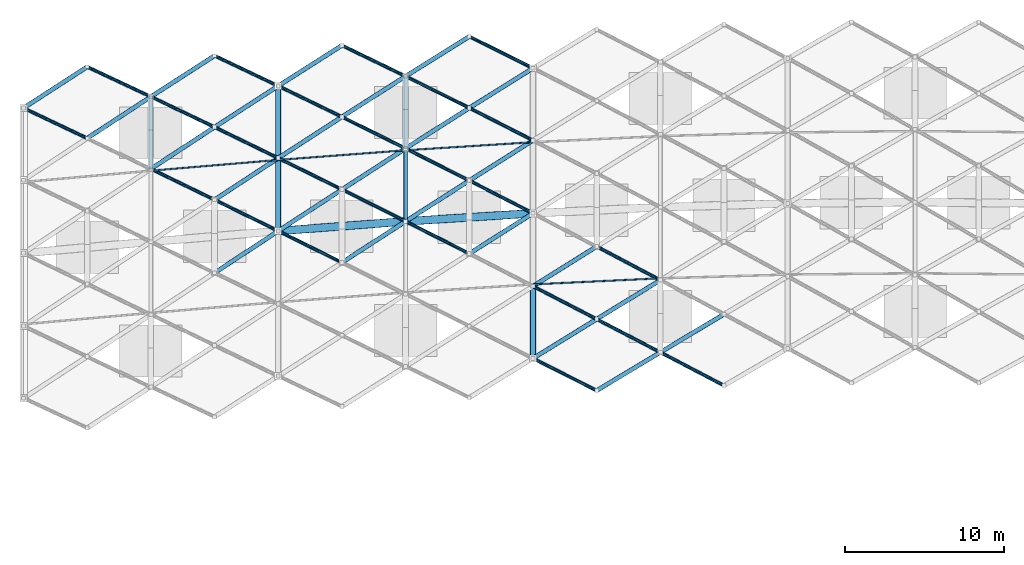
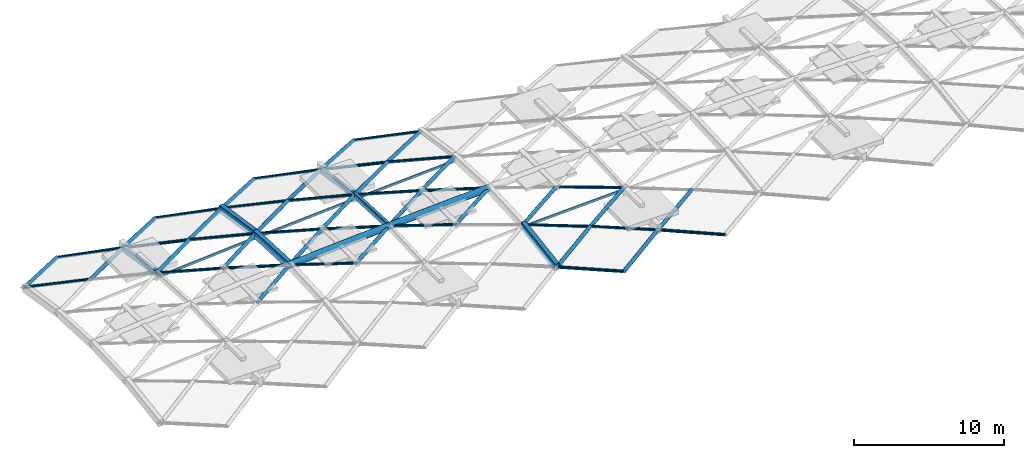
# One storey, part 3 of 27: 54 members, 6 beams.
"""IFC4 building model written with IfcOpenShell, lengths in metres."""

from ifc_helpers import new_model, si_unit, direction, frame, origin, origin_2d, place, context, subcontext, project, spatial, hollow_rectangle, hollow_circle, extrude, material, material_profile, profile_set, type_object, element, save


model = new_model("IFC4")

# Units and contexts
model_context = context("Model", 3, precision=1e-05, world=origin(), true_north=direction((0.0, 1.0)))
body_context = subcontext(model_context, "Body", "Model", "MODEL_VIEW")
ifc_project = project(units=[si_unit("LENGTHUNIT", "METRE"), si_unit("AREAUNIT", "SQUARE_METRE"), si_unit("VOLUMEUNIT", "CUBIC_METRE"), si_unit("PLANEANGLEUNIT", "RADIAN"), si_unit("MASSUNIT", "GRAM", prefix="KILO")], contexts=[model_context])

# Site, building, storey
site_placement = place(None, origin())
site = spatial("IfcSite", under=ifc_project, at=site_placement, CompositionType="ELEMENT")
building_placement = place(site_placement, origin())
building = spatial("IfcBuilding", under=site, at=building_placement, Name="Kenh Van Central Station", CompositionType="ELEMENT")
storey_placement = place(building_placement, frame((0.0, 0.0, 19.199951171875)))
storey = spatial("IfcBuildingStorey", under=building, at=storey_placement, Name="L04", CompositionType="ELEMENT", Elevation=19.199951171875)

# Beams
ifc_material = material(Name="White fluoropolymer structural steel S355", Category="steel")
ifc_material_profile_1 = material_profile(ifc_material, hollow_rectangle(XDim=0.35009765625, YDim=0.60009765625, WallThickness=0.01611328125, InnerFilletRadius=0.01611328125, OuterFilletRadius=0.031982421875, at=origin_2d()), Name="RHS 600x350x16")
ifc_profile_set_1 = profile_set([ifc_material_profile_1], Name="White fluoropolymer structural steel S355")
beam_type_1 = type_object("IfcBeamType", Name="BM-VAULT-ARCH600", PredefinedType="BEAM", material=ifc_profile_set_1)
beam_1_placement = place(storey_placement, frame((48.0, 89.388427734375, 2.0), z_axis=(0.0, 0.998789237449, -0.04919409677), x_axis=(-1.0, 0.0, 0.0)))
element("IfcBeam", 1, at=beam_1_placement, inside=storey, type_object=beam_type_1, Name="Vault transverse arch 031", PredefinedType="BEAM", context=body_context, shape_type="SweptSolid", body=[
    extrude(hollow_rectangle(XDim=0.35009765625, YDim=0.60009765625, WallThickness=0.01611328125, InnerFilletRadius=0.01611328125, OuterFilletRadius=0.031982421875, at=origin_2d()), origin(), (0.0, 0.0, 1.0), 4.585693359375),
])
for number, where, z_axis, x_axis, name in (
    (2, (48.0, 93.968505859375, 1.7744140625), (0.0, 0.988526901782, -0.151044908728), (-1.0, 0.0, 0.0), "Vault transverse arch 032"),
    (3, (64.0, 81.388916015625, 1.081787109375), (0.0, 0.988525687015, 0.15105285867), (-1.0, 0.0, 0.0), "Vault transverse arch 053"),
):
    element("IfcBeam", number, at=place(storey_placement, frame(where, z_axis=z_axis, x_axis=x_axis)), inside=storey, type_object=beam_type_1, Name=name, PredefinedType="BEAM", context=body_context, shape_type="SweptSolid", body=[
        extrude(hollow_rectangle(XDim=0.35009765625, YDim=0.60009765625, WallThickness=0.01611328125, InnerFilletRadius=0.01611328125, OuterFilletRadius=0.031982421875, at=origin_2d()), origin(), (0.0, 0.0, 1.0), 4.58544921875),
    ])
ifc_material_profile_2 = material_profile(ifc_material, hollow_rectangle(XDim=0.25, YDim=0.449951171875, WallThickness=0.012451171875, InnerFilletRadius=0.012451171875, OuterFilletRadius=0.02490234375, at=origin_2d()), Name="RHS 450x250x12.5")
ifc_profile_set_2 = profile_set([ifc_material_profile_2], Name="White fluoropolymer structural steel S355")
beam_type_2 = type_object("IfcBeamType", Name="BM-VAULT-SUB450", PredefinedType="BEAM", material=ifc_profile_set_2)
beam_2_placement = place(storey_placement, frame((40.0, 93.292236328125, 1.7744140625), z_axis=(0.0, 0.988526901782, -0.151044908728), x_axis=(-1.0, 0.0, 0.0)))
element("IfcBeam", 4, at=beam_2_placement, inside=storey, type_object=beam_type_2, Name="Vault transverse arch 020", PredefinedType="BEAM", context=body_context, shape_type="SweptSolid", body=[
    extrude(hollow_rectangle(XDim=0.25, YDim=0.449951171875, WallThickness=0.012451171875, InnerFilletRadius=0.012451171875, OuterFilletRadius=0.02490234375, at=origin_2d()), origin(), (0.0, 0.0, 1.0), 4.58544921875),
])
beam_3_placement = place(storey_placement, frame((56.0, 89.9951171875, 2.0), z_axis=(0.0, 0.998789366283, -0.049191480968), x_axis=(-1.0, 0.0, 0.0)))
element("IfcBeam", 5, at=beam_3_placement, inside=storey, type_object=beam_type_2, Name="Vault transverse arch 043", PredefinedType="BEAM", context=body_context, shape_type="SweptSolid", body=[
    extrude(hollow_rectangle(XDim=0.25, YDim=0.449951171875, WallThickness=0.012451171875, InnerFilletRadius=0.012451171875, OuterFilletRadius=0.02490234375, at=origin_2d()), origin(), (0.0, 0.0, 1.0), 4.5859375),
])
beam_4_placement = place(storey_placement, frame((56.0, 94.575439453125, 1.7744140625), z_axis=(0.0, 0.988525687015, -0.15105285867), x_axis=(-1.0, 0.0, 0.0)))
element("IfcBeam", 6, at=beam_4_placement, inside=storey, type_object=beam_type_2, Name="Vault transverse arch 044", PredefinedType="BEAM", context=body_context, shape_type="SweptSolid", body=[
    extrude(hollow_rectangle(XDim=0.25, YDim=0.449951171875, WallThickness=0.012451171875, InnerFilletRadius=0.012451171875, OuterFilletRadius=0.02490234375, at=origin_2d()), origin(), (0.0, 0.0, 1.0), 4.58544921875),
])

# Members
ifc_material_profile_3 = material_profile(ifc_material, hollow_rectangle(XDim=0.10009765625, YDim=0.199951171875, WallThickness=0.008056640625, InnerFilletRadius=0.008056640625, OuterFilletRadius=0.01611328125, at=origin_2d()), Name="RHS 200x100x8")
ifc_profile_set_3 = profile_set([ifc_material_profile_3], Name="White fluoropolymer structural steel S355")
member_type_1 = type_object("IfcMemberType", Name="MEM-PUR-RHS200", PredefinedType="PURLIN", material=ifc_profile_set_3)
member_1_placement = place(storey_placement, frame((64.0, 86.03662109375, 1.51904296875), z_axis=(0.998867240988, 0.047583977148, 0.0), x_axis=(-0.047583977148, 0.998867240988, 0.0)))
element("IfcMember", 7, at=member_1_placement, inside=storey, type_object=member_type_1, Name="Vault longitudinal purlin 019", PredefinedType="PURLIN", context=body_context, shape_type="SweptSolid", body=[
    extrude(hollow_rectangle(XDim=0.10009765625, YDim=0.199951171875, WallThickness=0.008056640625, InnerFilletRadius=0.008056640625, OuterFilletRadius=0.01611328125, at=origin_2d()), origin(), (0.0, 0.0, 1.0), 8.009033203125),
])
member_2_placement = place(storey_placement, frame((40.0, 93.177490234375, 1.51904296875), z_axis=(0.996446063383, 0.084233264025, 0.0), x_axis=(-0.084233264025, 0.996446063383, 0.0)))
element("IfcMember", 8, at=member_2_placement, inside=storey, type_object=member_type_1, Name="Vault longitudinal purlin 030", PredefinedType="PURLIN", context=body_context, shape_type="SweptSolid", body=[
    extrude(hollow_rectangle(XDim=0.10009765625, YDim=0.199951171875, WallThickness=0.008056640625, InnerFilletRadius=0.008056640625, OuterFilletRadius=0.01611328125, at=origin_2d()), origin(), (0.0, 0.0, 1.0), 8.028564453125),
])
member_3_placement = place(storey_placement, frame((48.0, 93.853759765625, 1.51904296875), z_axis=(0.997136780926, 0.075619046039, 0.0), x_axis=(-0.075619046039, 0.997136780926, 0.0)))
element("IfcMember", 9, at=member_3_placement, inside=storey, type_object=member_type_1, Name="Vault longitudinal purlin 031", PredefinedType="PURLIN", context=body_context, shape_type="SweptSolid", body=[
    extrude(hollow_rectangle(XDim=0.10009765625, YDim=0.199951171875, WallThickness=0.008056640625, InnerFilletRadius=0.008056640625, OuterFilletRadius=0.01611328125, at=origin_2d()), origin(), (0.0, 0.0, 1.0), 8.02294921875),
])
member_4_placement = place(storey_placement, frame((56.0, 94.46044921875, 1.51904296875), z_axis=(0.997999125469, 0.063227727798, 0.0), x_axis=(-0.063227727798, 0.997999125469, 0.0)))
element("IfcMember", 10, at=member_4_placement, inside=storey, type_object=member_type_1, Name="Vault longitudinal purlin 032", PredefinedType="PURLIN", context=body_context, shape_type="SweptSolid", body=[
    extrude(hollow_rectangle(XDim=0.10009765625, YDim=0.199951171875, WallThickness=0.008056640625, InnerFilletRadius=0.008056640625, OuterFilletRadius=0.01611328125, at=origin_2d()), origin(), (0.0, 0.0, 1.0), 8.01611328125),
])
ifc_material_profile_4 = material_profile(ifc_material, hollow_circle(Radius=0.109619140625, WallThickness=0.008056640625, at=origin_2d()), Name="CHS 219.1x8")
ifc_profile_set_4 = profile_set([ifc_material_profile_4], Name="White fluoropolymer structural steel S355")
member_type_2 = type_object("IfcMemberType", Name="MEM-VAULT-BRC219", PredefinedType="BRACE", material=ifc_profile_set_4)
member_5_placement = place(storey_placement, frame((32.0, 97.113037109375, 1.081787109375), z_axis=(0.899575062318, -0.427056569501, 0.091582715085), x_axis=(0.428858860644, 0.903371505886, 0.0)))
element("IfcMember", 11, at=member_5_placement, inside=storey, type_object=member_type_2, Name="Vault diamond grid member 0017", PredefinedType="BRACE", context=body_context, shape_type="SweptSolid", body=[
    extrude(hollow_circle(Radius=0.109619140625, WallThickness=0.008056640625, at=origin_2d()), origin(), (0.0, 0.0, 1.0), 4.446533203125),
])
member_6_placement = place(storey_placement, frame((36.0, 99.701171875, 0.545654296875), z_axis=(0.898780496067, -0.421522786363, 0.120466428794), x_axis=(0.4246150875, 0.905373971057, 0.0)))
element("IfcMember", 12, at=member_6_placement, inside=storey, type_object=member_type_2, Name="Vault diamond grid member 0042", PredefinedType="BRACE", context=body_context, shape_type="SweptSolid", body=[
    extrude(hollow_circle(Radius=0.109619140625, WallThickness=0.008056640625, at=origin_2d()), origin(), (0.0, 0.0, 1.0), 4.450439453125),
])
member_7_placement = place(storey_placement, frame((40.0, 93.292236328125, 1.7744140625), z_axis=(0.898897768284, -0.436500893827, 0.038075869824), x_axis=(0.436817651646, 0.899550075988, 0.0)))
element("IfcMember", 13, at=member_7_placement, inside=storey, type_object=member_type_2, Name="Vault diamond grid member 0063", PredefinedType="BRACE", context=body_context, shape_type="SweptSolid", body=[
    extrude(hollow_circle(Radius=0.109619140625, WallThickness=0.008056640625, at=origin_2d()), origin(), (0.0, 0.0, 1.0), 4.449951171875),
])
member_8_placement = place(storey_placement, frame((40.0, 97.8251953125, 1.081787109375), z_axis=(0.898413095649, -0.429520860487, 0.091464419162), x_axis=(0.431328842173, 0.902194784905, 0.0)))
element("IfcMember", 14, at=member_8_placement, inside=storey, type_object=member_type_2, Name="Vault diamond grid member 0065", PredefinedType="BRACE", context=body_context, shape_type="SweptSolid", body=[
    extrude(hollow_circle(Radius=0.109619140625, WallThickness=0.008056640625, at=origin_2d()), origin(), (0.0, 0.0, 1.0), 4.452392578125),
])
member_9_placement = place(storey_placement, frame((44.0, 91.349853515625, 1.94384765625), z_axis=(0.897792495065, -0.440238336508, 0.0126032882), x_axis=(0.440273305035, 0.897863807531, 0.0)))
element("IfcMember", 15, at=member_9_placement, inside=storey, type_object=member_type_2, Name="Vault diamond grid member 0086", PredefinedType="BRACE", context=body_context, shape_type="SweptSolid", body=[
    extrude(hollow_circle(Radius=0.109619140625, WallThickness=0.008056640625, at=origin_2d()), origin(), (0.0, 0.0, 1.0), 4.455322265625),
])
member_10_placement = place(storey_placement, frame((44.0, 95.912841796875, 1.489013671875), z_axis=(0.897531384433, -0.436275631447, 0.064038951929), x_axis=(0.437172972807, 0.899377446819, 0.0)))
element("IfcMember", 16, at=member_10_placement, inside=storey, type_object=member_type_2, Name="Vault diamond grid member 0088", PredefinedType="BRACE", context=body_context, shape_type="SweptSolid", body=[
    extrude(hollow_circle(Radius=0.109619140625, WallThickness=0.008056640625, at=origin_2d()), origin(), (0.0, 0.0, 1.0), 4.456787109375),
])
member_11_placement = place(storey_placement, frame((44.0, 100.39990234375, 0.545654296875), z_axis=(0.896863165764, -0.425659666564, 0.120209442872), x_axis=(0.428768861158, 0.903414225979, 0.0)))
element("IfcMember", 17, at=member_11_placement, inside=storey, type_object=member_type_2, Name="Vault diamond grid member 0090", PredefinedType="BRACE", context=body_context, shape_type="SweptSolid", body=[
    extrude(hollow_circle(Radius=0.109619140625, WallThickness=0.008056640625, at=origin_2d()), origin(), (0.0, 0.0, 1.0), 4.4599609375),
])
member_12_placement = place(storey_placement, frame((48.0, 89.388427734375, 2.0), z_axis=(0.89625195122, -0.443366825234, -0.012581661913), x_axis=(0.44340192149, 0.896322897186, 0.0)))
element("IfcMember", 18, at=member_12_placement, inside=storey, type_object=member_type_2, Name="Vault diamond grid member 0109", PredefinedType="BRACE", context=body_context, shape_type="SweptSolid", body=[
    extrude(hollow_circle(Radius=0.109619140625, WallThickness=0.008056640625, at=origin_2d()), origin(), (0.0, 0.0, 1.0), 4.463134765625),
])
member_13_placement = place(storey_placement, frame((48.0, 93.968505859375, 1.7744140625), z_axis=(0.896176282917, -0.442071332918, 0.037960592062), x_axis=(0.442390191411, 0.896822679544, 0.0)))
element("IfcMember", 19, at=member_13_placement, inside=storey, type_object=member_type_2, Name="Vault diamond grid member 0111", PredefinedType="BRACE", context=body_context, shape_type="SweptSolid", body=[
    extrude(hollow_circle(Radius=0.109619140625, WallThickness=0.008056640625, at=origin_2d()), origin(), (0.0, 0.0, 1.0), 4.46337890625),
])
member_14_placement = place(storey_placement, frame((48.0, 98.50146484375, 1.081787109375), z_axis=(0.895737487198, -0.435130289344, 0.091192024454), x_axis=(0.436950921056, 0.899485348735, 0.0)))
element("IfcMember", 20, at=member_14_placement, inside=storey, type_object=member_type_2, Name="Vault diamond grid member 0113", PredefinedType="BRACE", context=body_context, shape_type="SweptSolid", body=[
    extrude(hollow_circle(Radius=0.109619140625, WallThickness=0.008056640625, at=origin_2d()), origin(), (0.0, 0.0, 1.0), 4.465576171875),
])
member_15_placement = place(storey_placement, frame((52.0, 91.995361328125, 1.94384765625), z_axis=(0.894334862224, -0.44722201698, 0.012554749653), x_axis=(0.447257267103, 0.894405353866, 0.0)))
element("IfcMember", 21, at=member_15_placement, inside=storey, type_object=member_type_2, Name="Vault diamond grid member 0134", PredefinedType="BRACE", context=body_context, shape_type="SweptSolid", body=[
    extrude(hollow_circle(Radius=0.109619140625, WallThickness=0.008056640625, at=origin_2d()), origin(), (0.0, 0.0, 1.0), 4.47265625),
])
member_16_placement = place(storey_placement, frame((52.0, 96.558349609375, 1.489013671875), z_axis=(0.894128019528, -0.443243882727, 0.063796121511), x_axis=(0.444148634522, 0.895953118445, 0.0)))
element("IfcMember", 22, at=member_16_placement, inside=storey, type_object=member_type_2, Name="Vault diamond grid member 0136", PredefinedType="BRACE", context=body_context, shape_type="SweptSolid", body=[
    extrude(hollow_circle(Radius=0.109619140625, WallThickness=0.008056640625, at=origin_2d()), origin(), (0.0, 0.0, 1.0), 4.4736328125),
])
member_17_placement = place(storey_placement, frame((52.0, 101.04541015625, 0.545654296875), z_axis=(0.893525215777, -0.432746739941, 0.119762046744), x_axis=(0.43588396027, 0.900002873984, 0.0)))
element("IfcMember", 23, at=member_17_placement, inside=storey, type_object=member_type_2, Name="Vault diamond grid member 0138", PredefinedType="BRACE", context=body_context, shape_type="SweptSolid", body=[
    extrude(hollow_circle(Radius=0.109619140625, WallThickness=0.008056640625, at=origin_2d()), origin(), (0.0, 0.0, 1.0), 4.4765625),
])
member_18_placement = place(storey_placement, frame((56.0, 89.9951171875, 2.0), z_axis=(0.892080531368, -0.451702886244, -0.012523103163), x_axis=(0.451738310267, 0.89215049125, 0.0)))
element("IfcMember", 24, at=member_18_placement, inside=storey, type_object=member_type_2, Name="Vault diamond grid member 0157", PredefinedType="BRACE", context=body_context, shape_type="SweptSolid", body=[
    extrude(hollow_circle(Radius=0.109619140625, WallThickness=0.008056640625, at=origin_2d()), origin(), (0.0, 0.0, 1.0), 4.48388671875),
])
member_19_placement = place(storey_placement, frame((56.0, 94.575439453125, 1.7744140625), z_axis=(0.892017529984, -0.450418763767, 0.037784433948), x_axis=(0.45074063165, 0.892654963006, 0.0)))
element("IfcMember", 25, at=member_19_placement, inside=storey, type_object=member_type_2, Name="Vault diamond grid member 0159", PredefinedType="BRACE", context=body_context, shape_type="SweptSolid", body=[
    extrude(hollow_circle(Radius=0.109619140625, WallThickness=0.008056640625, at=origin_2d()), origin(), (0.0, 0.0, 1.0), 4.484130859375),
])
member_20_placement = place(storey_placement, frame((56.0, 99.108154296875, 1.081787109375), z_axis=(0.891668368225, -0.443493990031, 0.090777761121), x_axis=(0.445332690578, 0.895365173939, 0.0)))
element("IfcMember", 26, at=member_20_placement, inside=storey, type_object=member_type_2, Name="Vault diamond grid member 0161", PredefinedType="BRACE", context=body_context, shape_type="SweptSolid", body=[
    extrude(hollow_circle(Radius=0.109619140625, WallThickness=0.008056640625, at=origin_2d()), origin(), (0.0, 0.0, 1.0), 4.486083984375),
])
member_21_placement = place(storey_placement, frame((60.0, 92.5556640625, 1.94384765625), z_axis=(0.889528663703, -0.456708686466, 0.012487279825), x_axis=(0.456744298417, 0.889598024876, 0.0)))
element("IfcMember", 27, at=member_21_placement, inside=storey, type_object=member_type_2, Name="Vault diamond grid member 0182", PredefinedType="BRACE", context=body_context, shape_type="SweptSolid", body=[
    extrude(hollow_circle(Radius=0.109619140625, WallThickness=0.008056640625, at=origin_2d()), origin(), (0.0, 0.0, 1.0), 4.496826171875),
])
member_22_placement = place(storey_placement, frame((60.0, 97.11865234375, 1.489013671875), z_axis=(0.889344023123, -0.452814199273, 0.0634547829), x_axis=(0.453728591891, 0.891139924423, 0.0)))
element("IfcMember", 28, at=member_22_placement, inside=storey, type_object=member_type_2, Name="Vault diamond grid member 0184", PredefinedType="BRACE", context=body_context, shape_type="SweptSolid", body=[
    extrude(hollow_circle(Radius=0.109619140625, WallThickness=0.008056640625, at=origin_2d()), origin(), (0.0, 0.0, 1.0), 4.497802734375),
])
member_23_placement = place(storey_placement, frame((60.0, 101.605712890625, 0.545654296875), z_axis=(0.888879778757, -0.442378278564, 0.11913940394), x_axis=(0.445551704328, 0.895256208451, 0.0)))
element("IfcMember", 29, at=member_23_placement, inside=storey, type_object=member_type_2, Name="Vault diamond grid member 0186", PredefinedType="BRACE", context=body_context, shape_type="SweptSolid", body=[
    extrude(hollow_circle(Radius=0.109619140625, WallThickness=0.008056640625, at=origin_2d()), origin(), (0.0, 0.0, 1.0), 4.5),
])
member_24_placement = place(storey_placement, frame((64.0, 81.388916015625, 1.081787109375), z_axis=(0.886097448432, -0.448024369068, -0.118766479294), x_axis=(0.451217993387, 0.892413761909, 0.0)))
element("IfcMember", 30, at=member_24_placement, inside=storey, type_object=member_type_2, Name="Vault diamond grid member 0199", PredefinedType="BRACE", context=body_context, shape_type="SweptSolid", body=[
    extrude(hollow_circle(Radius=0.109619140625, WallThickness=0.008056640625, at=origin_2d()), origin(), (0.0, 0.0, 1.0), 4.51416015625),
])
member_25_placement = place(storey_placement, frame((64.0, 85.921630859375, 1.7744140625), z_axis=(0.886515895686, -0.458354257346, -0.063252995731), x_axis=(0.45927394225, 0.888294684196, 0.0)))
element("IfcMember", 31, at=member_25_placement, inside=storey, type_object=member_type_2, Name="Vault diamond grid member 0201", PredefinedType="BRACE", context=body_context, shape_type="SweptSolid", body=[
    extrude(hollow_circle(Radius=0.109619140625, WallThickness=0.008056640625, at=origin_2d()), origin(), (0.0, 0.0, 1.0), 4.511962890625),
])
member_26_placement = place(storey_placement, frame((68.0, 83.853515625, 1.489013671875), z_axis=(0.883305948563, -0.460091123354, -0.089926411267), x_axis=(0.461962806039, 0.886899298588, 0.0)))
element("IfcMember", 32, at=member_26_placement, inside=storey, type_object=member_type_2, Name="Vault diamond grid member 0222", PredefinedType="BRACE", context=body_context, shape_type="SweptSolid", body=[
    extrude(hollow_circle(Radius=0.109619140625, WallThickness=0.008056640625, at=origin_2d()), origin(), (0.0, 0.0, 1.0), 4.5283203125),
])
member_27_placement = place(storey_placement, frame((68.0, 88.41650390625, 1.94384765625), z_axis=(0.883544935698, -0.466848663839, -0.037425548424), x_axis=(0.467175958553, 0.884164364669, 0.0)))
element("IfcMember", 33, at=member_27_placement, inside=storey, type_object=member_type_2, Name="Vault diamond grid member 0224", PredefinedType="BRACE", context=body_context, shape_type="SweptSolid", body=[
    extrude(hollow_circle(Radius=0.109619140625, WallThickness=0.008056640625, at=origin_2d()), origin(), (0.0, 0.0, 1.0), 4.527099609375),
])
member_28_placement = place(storey_placement, frame((72.0, 81.77001953125, 1.081787109375), z_axis=(0.87989438604, -0.460301195236, -0.117935062973), x_axis=(0.463536070051, 0.886078050603, 0.0)))
element("IfcMember", 34, at=member_28_placement, inside=storey, type_object=member_type_2, Name="Vault diamond grid member 0243", PredefinedType="BRACE", context=body_context, shape_type="SweptSolid", body=[
    extrude(hollow_circle(Radius=0.109619140625, WallThickness=0.008056640625, at=origin_2d()), origin(), (0.0, 0.0, 1.0), 4.5458984375),
])
ifc_material_profile_5 = material_profile(ifc_material, hollow_circle(Radius=0.136474609375, WallThickness=0.010009765625, at=origin_2d()), Name="CHS 273x10")
ifc_profile_set_5 = profile_set([ifc_material_profile_5], Name="White fluoropolymer structural steel S355")
member_type_3 = type_object("IfcMemberType", Name="MEM-VAULT-CHD273", PredefinedType="CHORD", material=ifc_profile_set_5)
member_29_placement = place(storey_placement, frame((32.0, 97.113037109375, 1.081787109375), z_axis=(0.834313794374, 0.539829134165, -0.111825750271), x_axis=(-0.543236404847, 0.839579780872, 0.0)))
element("IfcMember", 35, at=member_29_placement, inside=storey, type_object=member_type_3, Name="Vault diamond grid member 0016", PredefinedType="CHORD", context=body_context, shape_type="SweptSolid", body=[
    extrude(hollow_circle(Radius=0.136474609375, WallThickness=0.010009765625, at=origin_2d()), origin(), (0.0, 0.0, 1.0), 4.79443359375),
])
member_30_placement = place(storey_placement, frame((36.0, 95.214111328125, 1.489013671875), z_axis=(0.834355301242, 0.544642941088, -0.084942910307), x_axis=(-0.546618518891, 0.837381749744, 0.0)))
element("IfcMember", 36, at=member_30_placement, inside=storey, type_object=member_type_3, Name="Vault diamond grid member 0039", PredefinedType="CHORD", context=body_context, shape_type="SweptSolid", body=[
    extrude(hollow_circle(Radius=0.136474609375, WallThickness=0.010009765625, at=origin_2d()), origin(), (0.0, 0.0, 1.0), 4.794189453125),
])
member_31_placement = place(storey_placement, frame((40.0, 93.292236328125, 1.7744140625), z_axis=(0.834983432637, 0.547040537471, -0.05957614946), x_axis=(-0.548013939724, 0.836469199593, 0.0)))
element("IfcMember", 37, at=member_31_placement, inside=storey, type_object=member_type_3, Name="Vault diamond grid member 0062", PredefinedType="CHORD", context=body_context, shape_type="SweptSolid", body=[
    extrude(hollow_circle(Radius=0.136474609375, WallThickness=0.010009765625, at=origin_2d()), origin(), (0.0, 0.0, 1.0), 4.79052734375),
])
member_32_placement = place(storey_placement, frame((40.0, 97.8251953125, 1.081787109375), z_axis=(0.835574790016, 0.537840071747, -0.111994765556), x_axis=(-0.541245155094, 0.840864841747, 0.0)))
element("IfcMember", 38, at=member_32_placement, inside=storey, type_object=member_type_3, Name="Vault diamond grid member 0064", PredefinedType="CHORD", context=body_context, shape_type="SweptSolid", body=[
    extrude(hollow_circle(Radius=0.136474609375, WallThickness=0.010009765625, at=origin_2d()), origin(), (0.0, 0.0, 1.0), 4.787109375),
])
member_33_placement = place(storey_placement, frame((44.0, 86.763916015625, 1.94384765625), z_axis=(0.836037139369, 0.548547317396, 0.011736361209), x_axis=(-0.548585100349, 0.836094724104, 0.0)))
element("IfcMember", 39, at=member_33_placement, inside=storey, type_object=member_type_3, Name="Vault diamond grid member 0083", PredefinedType="CHORD", context=body_context, shape_type="SweptSolid", body=[
    extrude(hollow_circle(Radius=0.136474609375, WallThickness=0.010009765625, at=origin_2d()), origin(), (0.0, 0.0, 1.0), 4.784423828125),
])
member_34_placement = place(storey_placement, frame((44.0, 91.349853515625, 1.94384765625), z_axis=(0.836131510541, 0.54738443494, -0.03541719167), x_axis=(-0.547728071612, 0.836656416678, 0.0)))
element("IfcMember", 40, at=member_34_placement, inside=storey, type_object=member_type_3, Name="Vault diamond grid member 0085", PredefinedType="CHORD", context=body_context, shape_type="SweptSolid", body=[
    extrude(hollow_circle(Radius=0.136474609375, WallThickness=0.010009765625, at=origin_2d()), origin(), (0.0, 0.0, 1.0), 4.783935546875),
])
member_35_placement = place(storey_placement, frame((44.0, 95.912841796875, 1.489013671875), z_axis=(0.836483287754, 0.541334979252, -0.085159553465), x_axis=(-0.543308641847, 0.83953303669, 0.0)))
element("IfcMember", 41, at=member_35_placement, inside=storey, type_object=member_type_3, Name="Vault diamond grid member 0087", PredefinedType="CHORD", context=body_context, shape_type="SweptSolid", body=[
    extrude(hollow_circle(Radius=0.136474609375, WallThickness=0.010009765625, at=origin_2d()), origin(), (0.0, 0.0, 1.0), 4.781982421875),
])
member_36_placement = place(storey_placement, frame((48.0, 89.388427734375, 2.0), z_axis=(0.837721487576, 0.545971072042, -0.011760006234), x_axis=(-0.546008829243, 0.837779421082, 0.0)))
element("IfcMember", 42, at=member_36_placement, inside=storey, type_object=member_type_3, Name="Vault diamond grid member 0108", PredefinedType="CHORD", context=body_context, shape_type="SweptSolid", body=[
    extrude(hollow_circle(Radius=0.136474609375, WallThickness=0.010009765625, at=origin_2d()), origin(), (0.0, 0.0, 1.0), 4.77490234375),
])
member_37_placement = place(storey_placement, frame((48.0, 93.968505859375, 1.7744140625), z_axis=(0.837914674144, 0.542517020466, -0.059785293828), x_axis=(-0.543489181563, 0.839416171826, 0.0)))
element("IfcMember", 43, at=member_37_placement, inside=storey, type_object=member_type_3, Name="Vault diamond grid member 0110", PredefinedType="CHORD", context=body_context, shape_type="SweptSolid", body=[
    extrude(hollow_circle(Radius=0.136474609375, WallThickness=0.010009765625, at=origin_2d()), origin(), (0.0, 0.0, 1.0), 4.773681640625),
])
member_38_placement = place(storey_placement, frame((48.0, 98.50146484375, 1.081787109375), z_axis=(0.838460265103, 0.533249265282, -0.112381515025), x_axis=(-0.53664886486, 0.843805662368, 0.0)))
element("IfcMember", 44, at=member_38_placement, inside=storey, type_object=member_type_3, Name="Vault diamond grid member 0112", PredefinedType="CHORD", context=body_context, shape_type="SweptSolid", body=[
    extrude(hollow_circle(Radius=0.136474609375, WallThickness=0.010009765625, at=origin_2d()), origin(), (0.0, 0.0, 1.0), 4.770751953125),
])
member_39_placement = place(storey_placement, frame((52.0, 87.40966796875, 1.94384765625), z_axis=(0.839778494384, 0.542801163057, 0.011788882673), x_axis=(-0.542838885632, 0.839836855732, 0.0)))
element("IfcMember", 45, at=member_39_placement, inside=storey, type_object=member_type_3, Name="Vault diamond grid member 0131", PredefinedType="CHORD", context=body_context, shape_type="SweptSolid", body=[
    extrude(hollow_circle(Radius=0.136474609375, WallThickness=0.010009765625, at=origin_2d()), origin(), (0.0, 0.0, 1.0), 4.76318359375),
])
member_40_placement = place(storey_placement, frame((52.0, 91.995361328125, 1.94384765625), z_axis=(0.839819026097, 0.541699674548, -0.035573388923), x_axis=(-0.542042751457, 0.840350912175, 0.0)))
element("IfcMember", 46, at=member_40_placement, inside=storey, type_object=member_type_3, Name="Vault diamond grid member 0133", PredefinedType="CHORD", context=body_context, shape_type="SweptSolid", body=[
    extrude(hollow_circle(Radius=0.136474609375, WallThickness=0.010009765625, at=origin_2d()), origin(), (0.0, 0.0, 1.0), 4.762939453125),
])
member_41_placement = place(storey_placement, frame((52.0, 96.558349609375, 1.489013671875), z_axis=(0.840155619586, 0.535558184262, -0.085533421232), x_axis=(-0.53752806232, 0.843245861074, 0.0)))
element("IfcMember", 47, at=member_41_placement, inside=storey, type_object=member_type_3, Name="Vault diamond grid member 0135", PredefinedType="CHORD", context=body_context, shape_type="SweptSolid", body=[
    extrude(hollow_circle(Radius=0.136474609375, WallThickness=0.010009765625, at=origin_2d()), origin(), (0.0, 0.0, 1.0), 4.760986328125),
])
member_42_placement = place(storey_placement, frame((56.0, 89.9951171875, 2.0), z_axis=(0.842160257136, 0.539097703665, -0.011822318063), x_axis=(-0.539135381704, 0.842219116498, 0.0)))
element("IfcMember", 48, at=member_42_placement, inside=storey, type_object=member_type_3, Name="Vault diamond grid member 0156", PredefinedType="CHORD", context=body_context, shape_type="SweptSolid", body=[
    extrude(hollow_circle(Radius=0.136474609375, WallThickness=0.010009765625, at=origin_2d()), origin(), (0.0, 0.0, 1.0), 4.749755859375),
])
member_43_placement = place(storey_placement, frame((56.0, 94.575439453125, 1.7744140625), z_axis=(0.842350113407, 0.535568916709, -0.060101762852), x_axis=(-0.536538842075, 0.843875625282, 0.0)))
element("IfcMember", 49, at=member_43_placement, inside=storey, type_object=member_type_3, Name="Vault diamond grid member 0158", PredefinedType="CHORD", context=body_context, shape_type="SweptSolid", body=[
    extrude(hollow_circle(Radius=0.136474609375, WallThickness=0.010009765625, at=origin_2d()), origin(), (0.0, 0.0, 1.0), 4.74853515625),
])
member_44_placement = place(storey_placement, frame((56.0, 99.108154296875, 1.081787109375), z_axis=(0.842801507338, 0.526236536869, -0.112963385627), x_axis=(-0.52962659657, 0.848230905005, 0.0)))
element("IfcMember", 50, at=member_44_placement, inside=storey, type_object=member_type_3, Name="Vault diamond grid member 0160", PredefinedType="CHORD", context=body_context, shape_type="SweptSolid", body=[
    extrude(hollow_circle(Radius=0.136474609375, WallThickness=0.010009765625, at=origin_2d()), origin(), (0.0, 0.0, 1.0), 4.74609375),
])
member_45_placement = place(storey_placement, frame((60.0, 87.9697265625, 1.94384765625), z_axis=(0.844865306466, 0.534847592692, 0.011860291778), x_axis=(-0.534885214236, 0.844924734868, 0.0)))
element("IfcMember", 51, at=member_45_placement, inside=storey, type_object=member_type_3, Name="Vault diamond grid member 0179", PredefinedType="CHORD", context=body_context, shape_type="SweptSolid", body=[
    extrude(hollow_circle(Radius=0.136474609375, WallThickness=0.010009765625, at=origin_2d()), origin(), (0.0, 0.0, 1.0), 4.734375),
])
member_46_placement = place(storey_placement, frame((60.0, 92.5556640625, 1.94384765625), z_axis=(0.8449423119, 0.533658633029, -0.035790403104), x_axis=(-0.534000757549, 0.845483998037, 0.0)))
element("IfcMember", 52, at=member_46_placement, inside=storey, type_object=member_type_3, Name="Vault diamond grid member 0181", PredefinedType="CHORD", context=body_context, shape_type="SweptSolid", body=[
    extrude(hollow_circle(Radius=0.136474609375, WallThickness=0.010009765625, at=origin_2d()), origin(), (0.0, 0.0, 1.0), 4.734130859375),
])
member_47_placement = place(storey_placement, frame((60.0, 97.11865234375, 1.489013671875), z_axis=(0.845200735682, 0.527476655417, -0.086047047554), x_axis=(-0.529440309956, 0.848347192011, 0.0)))
element("IfcMember", 53, at=member_47_placement, inside=storey, type_object=member_type_3, Name="Vault diamond grid member 0183", PredefinedType="CHORD", context=body_context, shape_type="SweptSolid", body=[
    extrude(hollow_circle(Radius=0.136474609375, WallThickness=0.010009765625, at=origin_2d()), origin(), (0.0, 0.0, 1.0), 4.732666015625),
])
member_48_placement = place(storey_placement, frame((64.0, 81.388916015625, 1.081787109375), z_axis=(0.848187314393, 0.522610530933, 0.086351101099), x_axis=(-0.524569921452, 0.851367369299, 0.0)))
element("IfcMember", 54, at=member_48_placement, inside=storey, type_object=member_type_3, Name="Vault diamond grid member 0198", PredefinedType="CHORD", context=body_context, shape_type="SweptSolid", body=[
    extrude(hollow_circle(Radius=0.136474609375, WallThickness=0.010009765625, at=origin_2d()), origin(), (0.0, 0.0, 1.0), 4.7158203125),
])
member_49_placement = place(storey_placement, frame((64.0, 85.921630859375, 1.7744140625), z_axis=(0.847939250185, 0.528875195168, 0.03591734861), x_axis=(-0.529216664881, 0.848486724476, 0.0)))
element("IfcMember", 55, at=member_49_placement, inside=storey, type_object=member_type_3, Name="Vault diamond grid member 0200", PredefinedType="CHORD", context=body_context, shape_type="SweptSolid", body=[
    extrude(hollow_circle(Radius=0.136474609375, WallThickness=0.010009765625, at=origin_2d()), origin(), (0.0, 0.0, 1.0), 4.71728515625),
])
member_50_placement = place(storey_placement, frame((68.0, 79.366455078125, 0.545654296875), z_axis=(0.851554309177, 0.511691416861, 0.114136551694), x_axis=(-0.515057279544, 0.857155761101, 0.0)))
element("IfcMember", 56, at=member_50_placement, inside=storey, type_object=member_type_3, Name="Vault diamond grid member 0219", PredefinedType="CHORD", context=body_context, shape_type="SweptSolid", body=[
    extrude(hollow_circle(Radius=0.136474609375, WallThickness=0.010009765625, at=origin_2d()), origin(), (0.0, 0.0, 1.0), 4.697265625),
])
member_51_placement = place(storey_placement, frame((68.0, 83.853515625, 1.489013671875), z_axis=(0.851231051352, 0.521264717909, 0.060735418642), x_axis=(-0.522228804285, 0.852805415071, 0.0)))
element("IfcMember", 57, at=member_51_placement, inside=storey, type_object=member_type_3, Name="Vault diamond grid member 0221", PredefinedType="CHORD", context=body_context, shape_type="SweptSolid", body=[
    extrude(hollow_circle(Radius=0.136474609375, WallThickness=0.010009765625, at=origin_2d()), origin(), (0.0, 0.0, 1.0), 4.698974609375),
])
member_52_placement = place(storey_placement, frame((72.0, 81.77001953125, 1.081787109375), z_axis=(0.85475523124, 0.511684528076, 0.087019758649), x_axis=(-0.513632950601, 0.858010018623, 0.0)))
element("IfcMember", 58, at=member_52_placement, inside=storey, type_object=member_type_3, Name="Vault diamond grid member 0242", PredefinedType="CHORD", context=body_context, shape_type="SweptSolid", body=[
    extrude(hollow_circle(Radius=0.136474609375, WallThickness=0.010009765625, at=origin_2d()), origin(), (0.0, 0.0, 1.0), 4.6796875),
])
ifc_material_profile_6 = material_profile(ifc_material, hollow_circle(Radius=0.25390625, WallThickness=0.01611328125, at=origin_2d()), Name="CHS 508x16")
ifc_profile_set_6 = profile_set([ifc_material_profile_6], Name="White fluoropolymer structural steel S355")
member_type_4 = type_object("IfcMemberType", Name="MEM-VAULT-CHD508", PredefinedType="CHORD", material=ifc_profile_set_6)
member_53_placement = place(storey_placement, frame((48.0, 89.388427734375, 2.0), z_axis=(0.997136780926, 0.075619046039, 0.0), x_axis=(-0.075619046039, 0.997136780926, 0.0)))
element("IfcMember", 59, at=member_53_placement, inside=storey, type_object=member_type_4, Name="Vault longitudinal spine chord 03", PredefinedType="CHORD", context=body_context, shape_type="SweptSolid", body=[
    extrude(hollow_circle(Radius=0.25390625, WallThickness=0.01611328125, at=origin_2d()), origin(), (0.0, 0.0, 1.0), 8.02294921875),
])
member_54_placement = place(storey_placement, frame((56.0, 89.9951171875, 2.0), z_axis=(0.997999125469, 0.063227727798, 0.0), x_axis=(-0.063227727798, 0.997999125469, 0.0)))
element("IfcMember", 60, at=member_54_placement, inside=storey, type_object=member_type_4, Name="Vault longitudinal spine chord 04", PredefinedType="CHORD", context=body_context, shape_type="SweptSolid", body=[
    extrude(hollow_circle(Radius=0.25390625, WallThickness=0.01611328125, at=origin_2d()), origin(), (0.0, 0.0, 1.0), 8.01611328125),
])

save(model, "model.ifc")
